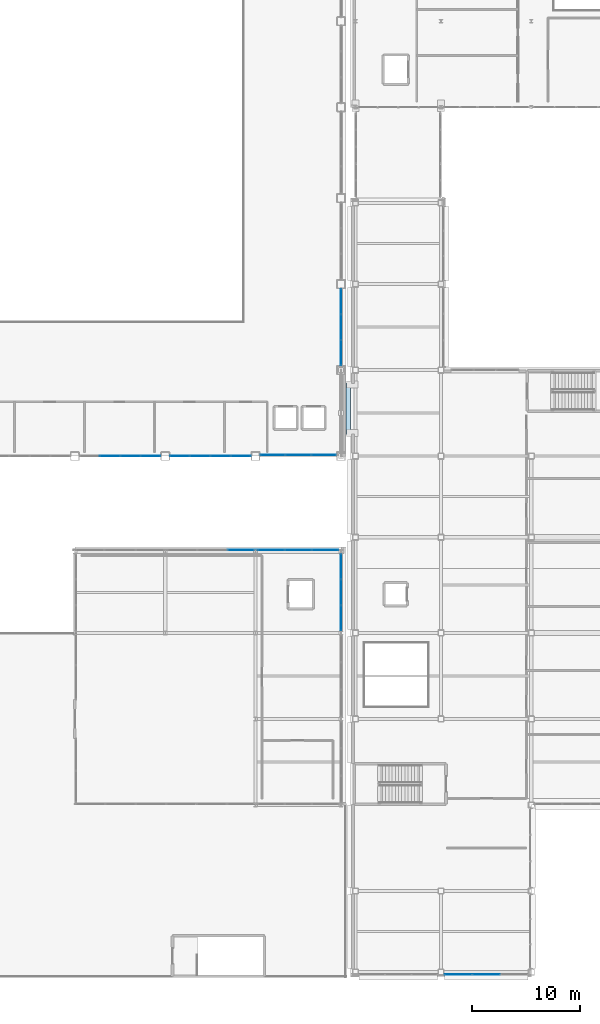
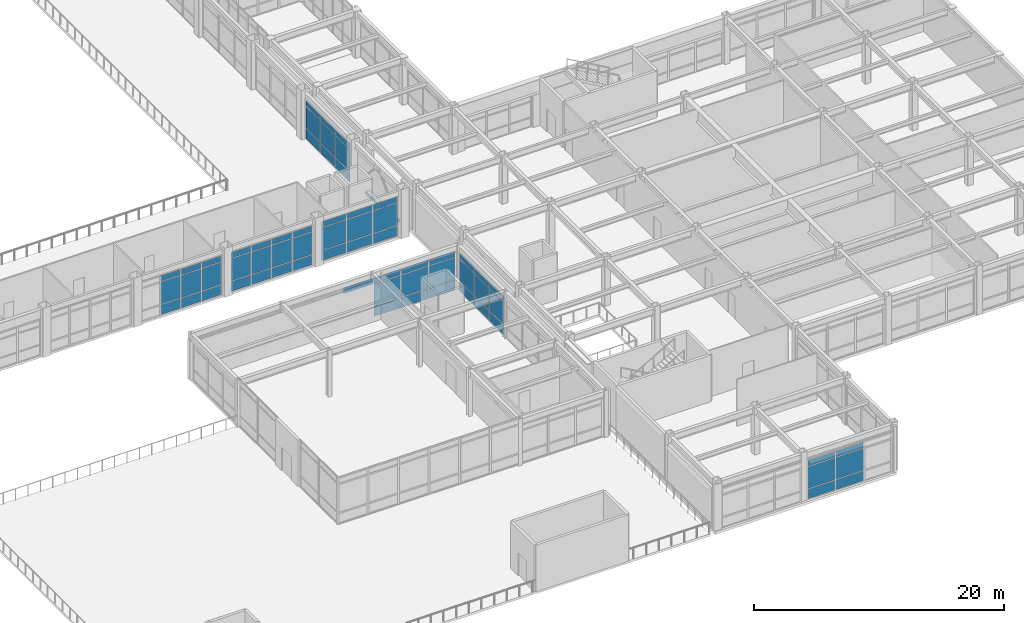
# One storey, part 116 of 154: 64 plates, 1 slab, 8 elements without a shape of their own.
"""IFC4 building model written with IfcOpenShell, lengths in metres."""

from ifc_helpers import new_model, si_unit, direction, frame, origin, origin_2d, place, context, subcontext, project, spatial, polyline, rectangle, outline, extrude, material, layer, layer_set, type_object, element, aggregate, save


model = new_model("IFC4")

# Units and contexts
model_context = context("Model", 3, precision=1e-05, world=origin(), true_north=direction((0.0, 1.0)))
body_context = subcontext(model_context, "Body", "Model", "MODEL_VIEW")
ifc_project = project(units=[si_unit("LENGTHUNIT", "METRE"), si_unit("AREAUNIT", "SQUARE_METRE"), si_unit("VOLUMEUNIT", "CUBIC_METRE"), si_unit("PLANEANGLEUNIT", "RADIAN"), si_unit("MASSUNIT", "GRAM", prefix="KILO")], contexts=[model_context])

# Site, building, storey
site_placement = place(None, origin())
site = spatial("IfcSite", under=ifc_project, at=site_placement, CompositionType="ELEMENT")
building_placement = place(site_placement, origin())
building = spatial("IfcBuilding", under=site, at=building_placement, Name="Kazehara Bluff Congress Hotel", CompositionType="ELEMENT")
storey_placement = place(building_placement, frame((0.0, 0.0, 10.199951171875)))
storey = spatial("IfcBuildingStorey", under=building, at=storey_placement, Name="L02", CompositionType="ELEMENT", Elevation=10.199951171875)

# Curtain wall, plates
ifc_material_1 = material(Name="Anodised aluminium", Category="aluminium")
ifc_layer_1 = layer(ifc_material_1, 0.159912109375)
ifc_layer_set_1 = layer_set([ifc_layer_1], Name="Anodised aluminium")
curtain_wall_type_1 = type_object("IfcCurtainWallType", Name="TP-CW-15", PredefinedType="NOTDEFINED", material=ifc_layer_set_1)
curtain_wall_1_placement = place(storey_placement, origin())
curtain_wall_1 = element("IfcCurtainWall", 1, at=curtain_wall_1_placement, inside=storey, type_object=curtain_wall_type_1, Name="L02 curtain wall CW-15 CW-V1-L02-Y4845-3400", PredefinedType="NOTDEFINED")
ifc_material_2 = material(Name="Insulated low-E double glazing", Category="glass")
ifc_layer_2 = layer(ifc_material_2, 0.028076171875)
ifc_layer_set_2 = layer_set([ifc_layer_2], Name="Insulated low-E double glazing")
plate_type = type_object("IfcPlateType", Name="TP-CWP-01", PredefinedType="CURTAIN_PANEL", material=ifc_layer_set_2)
plate_1_placement = place(storey_placement, frame((36.85009765625, 48.449951171875, 0.06494140625), z_axis=(0.0, 0.0, 1.0), x_axis=(1.0, 0.0, 0.0)))
plate_1 = element("IfcPlate", 2, at=plate_1_placement, type_object=plate_type, Name="CW-15 panel 2.1", PredefinedType="CURTAIN_PANEL", context=body_context, shape_type="SweptSolid", body=[
    extrude(rectangle(XDim=1.8349609375, YDim=0.028076171875, at=origin_2d()), origin(), (0.0, 0.0, 1.0), 0.952392578125),
])
plate_2_placement = place(storey_placement, frame((36.85009765625, 48.449951171875, 1.08251953125), z_axis=(0.0, 0.0, 1.0), x_axis=(1.0, 0.0, 0.0)))
plate_2 = element("IfcPlate", 3, at=plate_2_placement, type_object=plate_type, Name="CW-15 panel 2.2", PredefinedType="CURTAIN_PANEL", context=body_context, shape_type="SweptSolid", body=[
    extrude(rectangle(XDim=1.8349609375, YDim=0.028076171875, at=origin_2d()), origin(), (0.0, 0.0, 1.0), 2.169921875),
])
plate_3_placement = place(storey_placement, frame((36.85009765625, 48.449951171875, 3.3173828125), z_axis=(0.0, 0.0, 1.0), x_axis=(1.0, 0.0, 0.0)))
plate_3 = element("IfcPlate", 4, at=plate_3_placement, type_object=plate_type, Name="CW-15 panel 2.3", PredefinedType="CURTAIN_PANEL", context=body_context, shape_type="SweptSolid", body=[
    extrude(rectangle(XDim=1.8349609375, YDim=0.028076171875, at=origin_2d()), origin(), (0.0, 0.0, 1.0), 0.552490234375),
])
plate_4_placement = place(storey_placement, frame((38.75, 48.449951171875, 0.06494140625), z_axis=(0.0, 0.0, 1.0), x_axis=(1.0, 0.0, 0.0)))
plate_4 = element("IfcPlate", 5, at=plate_4_placement, type_object=plate_type, Name="CW-15 panel 3.1", PredefinedType="CURTAIN_PANEL", context=body_context, shape_type="SweptSolid", body=[
    extrude(rectangle(XDim=1.8349609375, YDim=0.028076171875, at=origin_2d()), origin(), (0.0, 0.0, 1.0), 0.952392578125),
])
plate_5_placement = place(storey_placement, frame((38.75, 48.449951171875, 1.08251953125), z_axis=(0.0, 0.0, 1.0), x_axis=(1.0, 0.0, 0.0)))
plate_5 = element("IfcPlate", 6, at=plate_5_placement, type_object=plate_type, Name="CW-15 panel 3.2", PredefinedType="CURTAIN_PANEL", context=body_context, shape_type="SweptSolid", body=[
    extrude(rectangle(XDim=1.8349609375, YDim=0.028076171875, at=origin_2d()), origin(), (0.0, 0.0, 1.0), 2.169921875),
])
plate_6_placement = place(storey_placement, frame((38.75, 48.449951171875, 3.3173828125), z_axis=(0.0, 0.0, 1.0), x_axis=(1.0, 0.0, 0.0)))
plate_6 = element("IfcPlate", 7, at=plate_6_placement, type_object=plate_type, Name="CW-15 panel 3.3", PredefinedType="CURTAIN_PANEL", context=body_context, shape_type="SweptSolid", body=[
    extrude(rectangle(XDim=1.8349609375, YDim=0.028076171875, at=origin_2d()), origin(), (0.0, 0.0, 1.0), 0.552490234375),
])
plate_7_placement = place(storey_placement, frame((40.6337890625, 48.449951171875, 0.06494140625), z_axis=(0.0, 0.0, 1.0), x_axis=(1.0, 0.0, 0.0)))
plate_7 = element("IfcPlate", 8, at=plate_7_placement, type_object=plate_type, Name="CW-15 panel 4.1", PredefinedType="CURTAIN_PANEL", context=body_context, shape_type="SweptSolid", body=[
    extrude(rectangle(XDim=1.802490234375, YDim=0.028076171875, at=origin_2d()), origin(), (0.0, 0.0, 1.0), 0.952392578125),
])
plate_8_placement = place(storey_placement, frame((40.6337890625, 48.449951171875, 1.08251953125), z_axis=(0.0, 0.0, 1.0), x_axis=(1.0, 0.0, 0.0)))
plate_8 = element("IfcPlate", 9, at=plate_8_placement, type_object=plate_type, Name="CW-15 panel 4.2", PredefinedType="CURTAIN_PANEL", context=body_context, shape_type="SweptSolid", body=[
    extrude(rectangle(XDim=1.802490234375, YDim=0.028076171875, at=origin_2d()), origin(), (0.0, 0.0, 1.0), 2.169921875),
])
plate_9_placement = place(storey_placement, frame((40.6337890625, 48.449951171875, 3.3173828125), z_axis=(0.0, 0.0, 1.0), x_axis=(1.0, 0.0, 0.0)))
plate_9 = element("IfcPlate", 10, at=plate_9_placement, type_object=plate_type, Name="CW-15 panel 4.3", PredefinedType="CURTAIN_PANEL", context=body_context, shape_type="SweptSolid", body=[
    extrude(rectangle(XDim=1.802490234375, YDim=0.028076171875, at=origin_2d()), origin(), (0.0, 0.0, 1.0), 0.552490234375),
])
aggregate(curtain_wall_1, [plate_1, plate_2, plate_3, plate_4, plate_5, plate_6, plate_7, plate_8, plate_9])

curtain_wall_2_placement = place(storey_placement, origin())
curtain_wall_2 = element("IfcCurtainWall", 11, at=curtain_wall_2_placement, inside=storey, type_object=curtain_wall_type_1, Name="L02 curtain wall CW-15 CW-V1-L02-Y4845-4240", PredefinedType="NOTDEFINED")
plate_10_placement = place(storey_placement, frame((43.3662109375, 48.449951171875, 0.06494140625), z_axis=(0.0, 0.0, 1.0), x_axis=(1.0, 0.0, 0.0)))
plate_10 = element("IfcPlate", 12, at=plate_10_placement, type_object=plate_type, Name="CW-15 panel 1.1", PredefinedType="CURTAIN_PANEL", context=body_context, shape_type="SweptSolid", body=[
    extrude(rectangle(XDim=1.802490234375, YDim=0.028076171875, at=origin_2d()), origin(), (0.0, 0.0, 1.0), 0.952392578125),
])
plate_11_placement = place(storey_placement, frame((43.3662109375, 48.449951171875, 1.08251953125), z_axis=(0.0, 0.0, 1.0), x_axis=(1.0, 0.0, 0.0)))
plate_11 = element("IfcPlate", 13, at=plate_11_placement, type_object=plate_type, Name="CW-15 panel 1.2", PredefinedType="CURTAIN_PANEL", context=body_context, shape_type="SweptSolid", body=[
    extrude(rectangle(XDim=1.802490234375, YDim=0.028076171875, at=origin_2d()), origin(), (0.0, 0.0, 1.0), 2.169921875),
])
plate_12_placement = place(storey_placement, frame((43.3662109375, 48.449951171875, 3.3173828125), z_axis=(0.0, 0.0, 1.0), x_axis=(1.0, 0.0, 0.0)))
plate_12 = element("IfcPlate", 14, at=plate_12_placement, type_object=plate_type, Name="CW-15 panel 1.3", PredefinedType="CURTAIN_PANEL", context=body_context, shape_type="SweptSolid", body=[
    extrude(rectangle(XDim=1.802490234375, YDim=0.028076171875, at=origin_2d()), origin(), (0.0, 0.0, 1.0), 0.552490234375),
])
plate_13_placement = place(storey_placement, frame((45.25, 48.449951171875, 0.06494140625), z_axis=(0.0, 0.0, 1.0), x_axis=(1.0, 0.0, 0.0)))
plate_13 = element("IfcPlate", 15, at=plate_13_placement, type_object=plate_type, Name="CW-15 panel 2.1", PredefinedType="CURTAIN_PANEL", context=body_context, shape_type="SweptSolid", body=[
    extrude(rectangle(XDim=1.8349609375, YDim=0.028076171875, at=origin_2d()), origin(), (0.0, 0.0, 1.0), 0.952392578125),
])
plate_14_placement = place(storey_placement, frame((45.25, 48.449951171875, 1.08251953125), z_axis=(0.0, 0.0, 1.0), x_axis=(1.0, 0.0, 0.0)))
plate_14 = element("IfcPlate", 16, at=plate_14_placement, type_object=plate_type, Name="CW-15 panel 2.2", PredefinedType="CURTAIN_PANEL", context=body_context, shape_type="SweptSolid", body=[
    extrude(rectangle(XDim=1.8349609375, YDim=0.028076171875, at=origin_2d()), origin(), (0.0, 0.0, 1.0), 2.169921875),
])
plate_15_placement = place(storey_placement, frame((45.25, 48.449951171875, 3.3173828125), z_axis=(0.0, 0.0, 1.0), x_axis=(1.0, 0.0, 0.0)))
plate_15 = element("IfcPlate", 17, at=plate_15_placement, type_object=plate_type, Name="CW-15 panel 2.3", PredefinedType="CURTAIN_PANEL", context=body_context, shape_type="SweptSolid", body=[
    extrude(rectangle(XDim=1.8349609375, YDim=0.028076171875, at=origin_2d()), origin(), (0.0, 0.0, 1.0), 0.552490234375),
])
plate_16_placement = place(storey_placement, frame((47.14990234375, 48.449951171875, 0.06494140625), z_axis=(0.0, 0.0, 1.0), x_axis=(1.0, 0.0, 0.0)))
plate_16 = element("IfcPlate", 18, at=plate_16_placement, type_object=plate_type, Name="CW-15 panel 3.1", PredefinedType="CURTAIN_PANEL", context=body_context, shape_type="SweptSolid", body=[
    extrude(rectangle(XDim=1.8349609375, YDim=0.028076171875, at=origin_2d()), origin(), (0.0, 0.0, 1.0), 0.952392578125),
])
plate_17_placement = place(storey_placement, frame((47.14990234375, 48.449951171875, 1.08251953125), z_axis=(0.0, 0.0, 1.0), x_axis=(1.0, 0.0, 0.0)))
plate_17 = element("IfcPlate", 19, at=plate_17_placement, type_object=plate_type, Name="CW-15 panel 3.2", PredefinedType="CURTAIN_PANEL", context=body_context, shape_type="SweptSolid", body=[
    extrude(rectangle(XDim=1.8349609375, YDim=0.028076171875, at=origin_2d()), origin(), (0.0, 0.0, 1.0), 2.169921875),
])
plate_18_placement = place(storey_placement, frame((47.14990234375, 48.449951171875, 3.3173828125), z_axis=(0.0, 0.0, 1.0), x_axis=(1.0, 0.0, 0.0)))
plate_18 = element("IfcPlate", 20, at=plate_18_placement, type_object=plate_type, Name="CW-15 panel 3.3", PredefinedType="CURTAIN_PANEL", context=body_context, shape_type="SweptSolid", body=[
    extrude(rectangle(XDim=1.8349609375, YDim=0.028076171875, at=origin_2d()), origin(), (0.0, 0.0, 1.0), 0.552490234375),
])
plate_19_placement = place(storey_placement, frame((49.03369140625, 48.449951171875, 0.06494140625), z_axis=(0.0, 0.0, 1.0), x_axis=(1.0, 0.0, 0.0)))
plate_19 = element("IfcPlate", 21, at=plate_19_placement, type_object=plate_type, Name="CW-15 panel 4.1", PredefinedType="CURTAIN_PANEL", context=body_context, shape_type="SweptSolid", body=[
    extrude(rectangle(XDim=1.802490234375, YDim=0.028076171875, at=origin_2d()), origin(), (0.0, 0.0, 1.0), 0.952392578125),
])
plate_20_placement = place(storey_placement, frame((49.03369140625, 48.449951171875, 1.08251953125), z_axis=(0.0, 0.0, 1.0), x_axis=(1.0, 0.0, 0.0)))
plate_20 = element("IfcPlate", 22, at=plate_20_placement, type_object=plate_type, Name="CW-15 panel 4.2", PredefinedType="CURTAIN_PANEL", context=body_context, shape_type="SweptSolid", body=[
    extrude(rectangle(XDim=1.802490234375, YDim=0.028076171875, at=origin_2d()), origin(), (0.0, 0.0, 1.0), 2.169921875),
])
plate_21_placement = place(storey_placement, frame((49.03369140625, 48.449951171875, 3.3173828125), z_axis=(0.0, 0.0, 1.0), x_axis=(1.0, 0.0, 0.0)))
plate_21 = element("IfcPlate", 23, at=plate_21_placement, type_object=plate_type, Name="CW-15 panel 4.3", PredefinedType="CURTAIN_PANEL", context=body_context, shape_type="SweptSolid", body=[
    extrude(rectangle(XDim=1.802490234375, YDim=0.028076171875, at=origin_2d()), origin(), (0.0, 0.0, 1.0), 0.552490234375),
])
aggregate(curtain_wall_2, [plate_10, plate_11, plate_12, plate_13, plate_14, plate_15, plate_16, plate_17, plate_18, plate_19, plate_20, plate_21])

ifc_material_3 = material(Name="Anodised aluminium", Category="aluminium")
ifc_layer_3 = layer(ifc_material_3, 0.159912109375)
ifc_layer_set_3 = layer_set([ifc_layer_3], Name="Anodised aluminium")
curtain_wall_type_2 = type_object("IfcCurtainWallType", Name="TP-CW-23", PredefinedType="NOTDEFINED", material=ifc_layer_set_3)
curtain_wall_3_placement = place(storey_placement, origin())
curtain_wall_3 = element("IfcCurtainWall", 24, at=curtain_wall_3_placement, inside=storey, type_object=curtain_wall_type_2, Name="L02 curtain wall CW-23 CW-V1-L02-X5835-5685", PredefinedType="NOTDEFINED")
plate_22_placement = place(storey_placement, frame((58.35009765625, 58.066162109375, 0.06494140625), z_axis=(0.0, 0.0, 1.0), x_axis=(0.0, 1.0, 0.0)))
plate_22 = element("IfcPlate", 25, at=plate_22_placement, type_object=plate_type, Name="CW-23 panel 1.1", PredefinedType="CURTAIN_PANEL", context=body_context, shape_type="SweptSolid", body=[
    extrude(rectangle(XDim=2.302490234375, YDim=0.028076171875, at=origin_2d()), origin(), (0.0, 0.0, 1.0), 0.952392578125),
])
plate_23_placement = place(storey_placement, frame((58.35009765625, 58.066162109375, 1.08251953125), z_axis=(0.0, 0.0, 1.0), x_axis=(0.0, 1.0, 0.0)))
plate_23 = element("IfcPlate", 26, at=plate_23_placement, type_object=plate_type, Name="CW-23 panel 1.2", PredefinedType="CURTAIN_PANEL", context=body_context, shape_type="SweptSolid", body=[
    extrude(rectangle(XDim=2.302490234375, YDim=0.028076171875, at=origin_2d()), origin(), (0.0, 0.0, 1.0), 2.1201171875),
])
plate_24_placement = place(storey_placement, frame((58.35009765625, 58.066162109375, 3.267578125), z_axis=(0.0, 0.0, 1.0), x_axis=(0.0, 1.0, 0.0)))
plate_24 = element("IfcPlate", 27, at=plate_24_placement, type_object=plate_type, Name="CW-23 panel 1.3", PredefinedType="CURTAIN_PANEL", context=body_context, shape_type="SweptSolid", body=[
    extrude(rectangle(XDim=2.302490234375, YDim=0.028076171875, at=origin_2d()), origin(), (0.0, 0.0, 1.0), 0.552490234375),
])
plate_25_placement = place(storey_placement, frame((58.35009765625, 60.449951171875, 0.06494140625), z_axis=(0.0, 0.0, 1.0), x_axis=(0.0, 1.0, 0.0)))
plate_25 = element("IfcPlate", 28, at=plate_25_placement, type_object=plate_type, Name="CW-23 panel 2.1", PredefinedType="CURTAIN_PANEL", context=body_context, shape_type="SweptSolid", body=[
    extrude(rectangle(XDim=2.3349609375, YDim=0.028076171875, at=origin_2d()), origin(), (0.0, 0.0, 1.0), 0.952392578125),
])
plate_26_placement = place(storey_placement, frame((58.35009765625, 60.449951171875, 1.08251953125), z_axis=(0.0, 0.0, 1.0), x_axis=(0.0, 1.0, 0.0)))
plate_26 = element("IfcPlate", 29, at=plate_26_placement, type_object=plate_type, Name="CW-23 panel 2.2", PredefinedType="CURTAIN_PANEL", context=body_context, shape_type="SweptSolid", body=[
    extrude(rectangle(XDim=2.3349609375, YDim=0.028076171875, at=origin_2d()), origin(), (0.0, 0.0, 1.0), 2.1201171875),
])
plate_27_placement = place(storey_placement, frame((58.35009765625, 60.449951171875, 3.267578125), z_axis=(0.0, 0.0, 1.0), x_axis=(0.0, 1.0, 0.0)))
plate_27 = element("IfcPlate", 30, at=plate_27_placement, type_object=plate_type, Name="CW-23 panel 2.3", PredefinedType="CURTAIN_PANEL", context=body_context, shape_type="SweptSolid", body=[
    extrude(rectangle(XDim=2.3349609375, YDim=0.028076171875, at=origin_2d()), origin(), (0.0, 0.0, 1.0), 0.552490234375),
])
plate_28_placement = place(storey_placement, frame((58.35009765625, 62.833740234375, 0.06494140625), z_axis=(0.0, 0.0, 1.0), x_axis=(0.0, 1.0, 0.0)))
plate_28 = element("IfcPlate", 31, at=plate_28_placement, type_object=plate_type, Name="CW-23 panel 3.1", PredefinedType="CURTAIN_PANEL", context=body_context, shape_type="SweptSolid", body=[
    extrude(rectangle(XDim=2.302490234375, YDim=0.028076171875, at=origin_2d()), origin(), (0.0, 0.0, 1.0), 0.952392578125),
])
plate_29_placement = place(storey_placement, frame((58.35009765625, 62.833740234375, 1.08251953125), z_axis=(0.0, 0.0, 1.0), x_axis=(0.0, 1.0, 0.0)))
plate_29 = element("IfcPlate", 32, at=plate_29_placement, type_object=plate_type, Name="CW-23 panel 3.2", PredefinedType="CURTAIN_PANEL", context=body_context, shape_type="SweptSolid", body=[
    extrude(rectangle(XDim=2.302490234375, YDim=0.028076171875, at=origin_2d()), origin(), (0.0, 0.0, 1.0), 2.1201171875),
])
plate_30_placement = place(storey_placement, frame((58.35009765625, 62.833740234375, 3.267578125), z_axis=(0.0, 0.0, 1.0), x_axis=(0.0, 1.0, 0.0)))
plate_30 = element("IfcPlate", 33, at=plate_30_placement, type_object=plate_type, Name="CW-23 panel 3.3", PredefinedType="CURTAIN_PANEL", context=body_context, shape_type="SweptSolid", body=[
    extrude(rectangle(XDim=2.302490234375, YDim=0.028076171875, at=origin_2d()), origin(), (0.0, 0.0, 1.0), 0.552490234375),
])
aggregate(curtain_wall_3, [plate_22, plate_23, plate_24, plate_25, plate_26, plate_27, plate_28, plate_29, plate_30])

curtain_wall_4_placement = place(storey_placement, origin())
curtain_wall_4 = element("IfcCurtainWall", 34, at=curtain_wall_4_placement, inside=storey, type_object=curtain_wall_type_2, Name="L02 curtain wall CW-23 CW-V2-L02-X5835-3217", PredefinedType="NOTDEFINED")
plate_31_placement = place(storey_placement, frame((58.35009765625, 33.391357421875, 0.06494140625), z_axis=(0.0, 0.0, 1.0), x_axis=(0.0, 1.0, 0.0)))
plate_31 = element("IfcPlate", 35, at=plate_31_placement, type_object=plate_type, Name="CW-23 panel 1.1", PredefinedType="CURTAIN_PANEL", context=body_context, shape_type="SweptSolid", body=[
    extrude(rectangle(XDim=2.302490234375, YDim=0.028076171875, at=origin_2d()), origin(), (0.0, 0.0, 1.0), 0.952392578125),
])
plate_32_placement = place(storey_placement, frame((58.35009765625, 33.391357421875, 1.08251953125), z_axis=(0.0, 0.0, 1.0), x_axis=(0.0, 1.0, 0.0)))
plate_32 = element("IfcPlate", 36, at=plate_32_placement, type_object=plate_type, Name="CW-23 panel 1.2", PredefinedType="CURTAIN_PANEL", context=body_context, shape_type="SweptSolid", body=[
    extrude(rectangle(XDim=2.302490234375, YDim=0.028076171875, at=origin_2d()), origin(), (0.0, 0.0, 1.0), 2.1201171875),
])
plate_33_placement = place(storey_placement, frame((58.35009765625, 33.391357421875, 3.267578125), z_axis=(0.0, 0.0, 1.0), x_axis=(0.0, 1.0, 0.0)))
plate_33 = element("IfcPlate", 37, at=plate_33_placement, type_object=plate_type, Name="CW-23 panel 1.3", PredefinedType="CURTAIN_PANEL", context=body_context, shape_type="SweptSolid", body=[
    extrude(rectangle(XDim=2.302490234375, YDim=0.028076171875, at=origin_2d()), origin(), (0.0, 0.0, 1.0), 0.552490234375),
])
plate_34_placement = place(storey_placement, frame((58.35009765625, 35.77490234375, 0.06494140625), z_axis=(0.0, 0.0, 1.0), x_axis=(0.0, 1.0, 0.0)))
plate_34 = element("IfcPlate", 38, at=plate_34_placement, type_object=plate_type, Name="CW-23 panel 2.1", PredefinedType="CURTAIN_PANEL", context=body_context, shape_type="SweptSolid", body=[
    extrude(rectangle(XDim=2.3349609375, YDim=0.028076171875, at=origin_2d()), origin(), (0.0, 0.0, 1.0), 0.952392578125),
])
plate_35_placement = place(storey_placement, frame((58.35009765625, 35.77490234375, 1.08251953125), z_axis=(0.0, 0.0, 1.0), x_axis=(0.0, 1.0, 0.0)))
plate_35 = element("IfcPlate", 39, at=plate_35_placement, type_object=plate_type, Name="CW-23 panel 2.2", PredefinedType="CURTAIN_PANEL", context=body_context, shape_type="SweptSolid", body=[
    extrude(rectangle(XDim=2.3349609375, YDim=0.028076171875, at=origin_2d()), origin(), (0.0, 0.0, 1.0), 2.1201171875),
])
plate_36_placement = place(storey_placement, frame((58.35009765625, 35.77490234375, 3.267578125), z_axis=(0.0, 0.0, 1.0), x_axis=(0.0, 1.0, 0.0)))
plate_36 = element("IfcPlate", 40, at=plate_36_placement, type_object=plate_type, Name="CW-23 panel 2.3", PredefinedType="CURTAIN_PANEL", context=body_context, shape_type="SweptSolid", body=[
    extrude(rectangle(XDim=2.3349609375, YDim=0.028076171875, at=origin_2d()), origin(), (0.0, 0.0, 1.0), 0.552490234375),
])
plate_37_placement = place(storey_placement, frame((58.35009765625, 38.15869140625, 0.06494140625), z_axis=(0.0, 0.0, 1.0), x_axis=(0.0, 1.0, 0.0)))
plate_37 = element("IfcPlate", 41, at=plate_37_placement, type_object=plate_type, Name="CW-23 panel 3.1", PredefinedType="CURTAIN_PANEL", context=body_context, shape_type="SweptSolid", body=[
    extrude(rectangle(XDim=2.302490234375, YDim=0.028076171875, at=origin_2d()), origin(), (0.0, 0.0, 1.0), 0.952392578125),
])
plate_38_placement = place(storey_placement, frame((58.35009765625, 38.15869140625, 1.08251953125), z_axis=(0.0, 0.0, 1.0), x_axis=(0.0, 1.0, 0.0)))
plate_38 = element("IfcPlate", 42, at=plate_38_placement, type_object=plate_type, Name="CW-23 panel 3.2", PredefinedType="CURTAIN_PANEL", context=body_context, shape_type="SweptSolid", body=[
    extrude(rectangle(XDim=2.302490234375, YDim=0.028076171875, at=origin_2d()), origin(), (0.0, 0.0, 1.0), 2.1201171875),
])
plate_39_placement = place(storey_placement, frame((58.35009765625, 38.15869140625, 3.267578125), z_axis=(0.0, 0.0, 1.0), x_axis=(0.0, 1.0, 0.0)))
plate_39 = element("IfcPlate", 43, at=plate_39_placement, type_object=plate_type, Name="CW-23 panel 3.3", PredefinedType="CURTAIN_PANEL", context=body_context, shape_type="SweptSolid", body=[
    extrude(rectangle(XDim=2.302490234375, YDim=0.028076171875, at=origin_2d()), origin(), (0.0, 0.0, 1.0), 0.552490234375),
])
aggregate(curtain_wall_4, [plate_31, plate_32, plate_33, plate_34, plate_35, plate_36, plate_37, plate_38, plate_39])

ifc_material_4 = material(Name="Anodised aluminium", Category="aluminium")
ifc_layer_4 = layer(ifc_material_4, 0.159912109375)
ifc_layer_set_4 = layer_set([ifc_layer_4], Name="Anodised aluminium")
curtain_wall_type_3 = type_object("IfcCurtainWallType", Name="TP-CW-127", PredefinedType="NOTDEFINED", material=ifc_layer_set_4)
curtain_wall_5_placement = place(storey_placement, origin())
curtain_wall_5 = element("IfcCurtainWall", 44, at=curtain_wall_5_placement, inside=storey, type_object=curtain_wall_type_3, Name="L02 curtain wall CW-127 CW-ENC-V1-L02-5438-4855", PredefinedType="NOTDEFINED")
plate_40_placement = place(storey_placement, frame((56.7421875, 48.550048828125, 0.06494140625), z_axis=(0.0, 0.0, 1.0), x_axis=(-1.0, 0.0, 0.0)))
plate_40 = element("IfcPlate", 45, at=plate_40_placement, type_object=plate_type, Name="CW-127 panel 1.1", PredefinedType="CURTAIN_PANEL", context=body_context, shape_type="SweptSolid", body=[
    extrude(rectangle(XDim=2.285888671875, YDim=0.028076171875, at=origin_2d()), origin(), (0.0, 0.0, 1.0), 0.952392578125),
])
plate_41_placement = place(storey_placement, frame((56.7421875, 48.550048828125, 1.08251953125), z_axis=(0.0, 0.0, 1.0), x_axis=(-1.0, 0.0, 0.0)))
plate_41 = element("IfcPlate", 46, at=plate_41_placement, type_object=plate_type, Name="CW-127 panel 1.2", PredefinedType="CURTAIN_PANEL", context=body_context, shape_type="SweptSolid", body=[
    extrude(rectangle(XDim=2.285888671875, YDim=0.028076171875, at=origin_2d()), origin(), (0.0, 0.0, 1.0), 2.169921875),
])
plate_42_placement = place(storey_placement, frame((56.7421875, 48.550048828125, 3.3173828125), z_axis=(0.0, 0.0, 1.0), x_axis=(-1.0, 0.0, 0.0)))
plate_42 = element("IfcPlate", 47, at=plate_42_placement, type_object=plate_type, Name="CW-127 panel 1.3", PredefinedType="CURTAIN_PANEL", context=body_context, shape_type="SweptSolid", body=[
    extrude(rectangle(XDim=2.285888671875, YDim=0.028076171875, at=origin_2d()), origin(), (0.0, 0.0, 1.0), 0.552490234375),
])
plate_43_placement = place(storey_placement, frame((54.375, 48.550048828125, 0.06494140625), z_axis=(0.0, 0.0, 1.0), x_axis=(-1.0, 0.0, 0.0)))
plate_43 = element("IfcPlate", 48, at=plate_43_placement, type_object=plate_type, Name="CW-127 panel 2.1", PredefinedType="CURTAIN_PANEL", context=body_context, shape_type="SweptSolid", body=[
    extrude(rectangle(XDim=2.318359375, YDim=0.028076171875, at=origin_2d()), origin(), (0.0, 0.0, 1.0), 0.952392578125),
])
plate_44_placement = place(storey_placement, frame((54.375, 48.550048828125, 1.08251953125), z_axis=(0.0, 0.0, 1.0), x_axis=(-1.0, 0.0, 0.0)))
plate_44 = element("IfcPlate", 49, at=plate_44_placement, type_object=plate_type, Name="CW-127 panel 2.2", PredefinedType="CURTAIN_PANEL", context=body_context, shape_type="SweptSolid", body=[
    extrude(rectangle(XDim=2.318359375, YDim=0.028076171875, at=origin_2d()), origin(), (0.0, 0.0, 1.0), 2.169921875),
])
plate_45_placement = place(storey_placement, frame((54.375, 48.550048828125, 3.3173828125), z_axis=(0.0, 0.0, 1.0), x_axis=(-1.0, 0.0, 0.0)))
plate_45 = element("IfcPlate", 50, at=plate_45_placement, type_object=plate_type, Name="CW-127 panel 2.3", PredefinedType="CURTAIN_PANEL", context=body_context, shape_type="SweptSolid", body=[
    extrude(rectangle(XDim=2.318359375, YDim=0.028076171875, at=origin_2d()), origin(), (0.0, 0.0, 1.0), 0.552490234375),
])
plate_46_placement = place(storey_placement, frame((52.0078125, 48.550048828125, 0.06494140625), z_axis=(0.0, 0.0, 1.0), x_axis=(-1.0, 0.0, 0.0)))
plate_46 = element("IfcPlate", 51, at=plate_46_placement, type_object=plate_type, Name="CW-127 panel 3.1", PredefinedType="CURTAIN_PANEL", context=body_context, shape_type="SweptSolid", body=[
    extrude(rectangle(XDim=2.285888671875, YDim=0.028076171875, at=origin_2d()), origin(), (0.0, 0.0, 1.0), 0.952392578125),
])
plate_47_placement = place(storey_placement, frame((52.0078125, 48.550048828125, 1.08251953125), z_axis=(0.0, 0.0, 1.0), x_axis=(-1.0, 0.0, 0.0)))
plate_47 = element("IfcPlate", 52, at=plate_47_placement, type_object=plate_type, Name="CW-127 panel 3.2", PredefinedType="CURTAIN_PANEL", context=body_context, shape_type="SweptSolid", body=[
    extrude(rectangle(XDim=2.285888671875, YDim=0.028076171875, at=origin_2d()), origin(), (0.0, 0.0, 1.0), 2.169921875),
])
plate_48_placement = place(storey_placement, frame((52.0078125, 48.550048828125, 3.3173828125), z_axis=(0.0, 0.0, 1.0), x_axis=(-1.0, 0.0, 0.0)))
plate_48 = element("IfcPlate", 53, at=plate_48_placement, type_object=plate_type, Name="CW-127 panel 3.3", PredefinedType="CURTAIN_PANEL", context=body_context, shape_type="SweptSolid", body=[
    extrude(rectangle(XDim=2.285888671875, YDim=0.028076171875, at=origin_2d()), origin(), (0.0, 0.0, 1.0), 0.552490234375),
])
aggregate(curtain_wall_5, [plate_40, plate_41, plate_42, plate_43, plate_44, plate_45, plate_46, plate_47, plate_48])

# Curtain wall, plate
ifc_material_5 = material(Name="Anodised aluminium", Category="aluminium")
ifc_layer_5 = layer(ifc_material_5, 0.159912109375)
ifc_layer_set_5 = layer_set([ifc_layer_5], Name="Anodised aluminium")
curtain_wall_type_4 = type_object("IfcCurtainWallType", Name="TP-CW-131", PredefinedType="NOTDEFINED", material=ifc_layer_set_5)
curtain_wall_6_placement = place(storey_placement, origin())
curtain_wall_6 = element("IfcCurtainWall", 54, at=curtain_wall_6_placement, inside=storey, type_object=curtain_wall_type_4, Name="L02 curtain wall CW-131 CW-ENC-V2-L02-4638-3970", PredefinedType="NOTDEFINED")
plate_49_placement = place(storey_placement, frame((49.15869140625, 39.705078125, 3.267578125), z_axis=(0.0, 0.0, 1.0), x_axis=(1.0, 0.0, 0.0)))
plate_49 = element("IfcPlate", 55, at=plate_49_placement, type_object=plate_type, Name="CW-131 panel 3.3", PredefinedType="CURTAIN_PANEL", context=body_context, shape_type="SweptSolid", body=[
    extrude(rectangle(XDim=2.702392578125, YDim=0.028076171875, at=origin_2d()), origin(), (0.0, 0.0, 1.0), 0.552490234375),
])
aggregate(curtain_wall_6, [plate_49])

# Curtain wall, plates
ifc_material_6 = material(Name="Anodised aluminium", Category="aluminium")
ifc_layer_6 = layer(ifc_material_6, 0.159912109375)
ifc_layer_set_6 = layer_set([ifc_layer_6], Name="Anodised aluminium")
curtain_wall_type_5 = type_object("IfcCurtainWallType", Name="TP-CW-129", PredefinedType="NOTDEFINED", material=ifc_layer_set_6)
curtain_wall_7_placement = place(storey_placement, origin())
curtain_wall_7 = element("IfcCurtainWall", 56, at=curtain_wall_7_placement, inside=storey, type_object=curtain_wall_type_5, Name="L02 curtain wall CW-129 CW-ENC-V2-L02-5438-3970", PredefinedType="NOTDEFINED")
plate_50_placement = place(storey_placement, frame((51.85791015625, 39.705078125, 0.06494140625), z_axis=(0.0, 0.0, 1.0), x_axis=(1.0, 0.0, 0.0)))
plate_50 = element("IfcPlate", 57, at=plate_50_placement, type_object=plate_type, Name="CW-129 panel 1.1", PredefinedType="CURTAIN_PANEL", context=body_context, shape_type="SweptSolid", body=[
    extrude(rectangle(XDim=2.435791015625, YDim=0.028076171875, at=origin_2d()), origin(), (0.0, 0.0, 1.0), 0.952392578125),
])
plate_51_placement = place(storey_placement, frame((51.85791015625, 39.705078125, 1.08251953125), z_axis=(0.0, 0.0, 1.0), x_axis=(1.0, 0.0, 0.0)))
plate_51 = element("IfcPlate", 58, at=plate_51_placement, type_object=plate_type, Name="CW-129 panel 1.2", PredefinedType="CURTAIN_PANEL", context=body_context, shape_type="SweptSolid", body=[
    extrude(rectangle(XDim=2.435791015625, YDim=0.028076171875, at=origin_2d()), origin(), (0.0, 0.0, 1.0), 2.1201171875),
])
plate_52_placement = place(storey_placement, frame((51.85791015625, 39.705078125, 3.267578125), z_axis=(0.0, 0.0, 1.0), x_axis=(1.0, 0.0, 0.0)))
plate_52 = element("IfcPlate", 59, at=plate_52_placement, type_object=plate_type, Name="CW-129 panel 1.3", PredefinedType="CURTAIN_PANEL", context=body_context, shape_type="SweptSolid", body=[
    extrude(rectangle(XDim=2.435791015625, YDim=0.028076171875, at=origin_2d()), origin(), (0.0, 0.0, 1.0), 0.552490234375),
])
plate_53_placement = place(storey_placement, frame((54.375, 39.705078125, 0.06494140625), z_axis=(0.0, 0.0, 1.0), x_axis=(1.0, 0.0, 0.0)))
plate_53 = element("IfcPlate", 60, at=plate_53_placement, type_object=plate_type, Name="CW-129 panel 2.1", PredefinedType="CURTAIN_PANEL", context=body_context, shape_type="SweptSolid", body=[
    extrude(rectangle(XDim=2.46826171875, YDim=0.028076171875, at=origin_2d()), origin(), (0.0, 0.0, 1.0), 0.952392578125),
])
plate_54_placement = place(storey_placement, frame((54.375, 39.705078125, 1.08251953125), z_axis=(0.0, 0.0, 1.0), x_axis=(1.0, 0.0, 0.0)))
plate_54 = element("IfcPlate", 61, at=plate_54_placement, type_object=plate_type, Name="CW-129 panel 2.2", PredefinedType="CURTAIN_PANEL", context=body_context, shape_type="SweptSolid", body=[
    extrude(rectangle(XDim=2.46826171875, YDim=0.028076171875, at=origin_2d()), origin(), (0.0, 0.0, 1.0), 2.1201171875),
])
plate_55_placement = place(storey_placement, frame((54.375, 39.705078125, 3.267578125), z_axis=(0.0, 0.0, 1.0), x_axis=(1.0, 0.0, 0.0)))
plate_55 = element("IfcPlate", 62, at=plate_55_placement, type_object=plate_type, Name="CW-129 panel 2.3", PredefinedType="CURTAIN_PANEL", context=body_context, shape_type="SweptSolid", body=[
    extrude(rectangle(XDim=2.46826171875, YDim=0.028076171875, at=origin_2d()), origin(), (0.0, 0.0, 1.0), 0.552490234375),
])
plate_56_placement = place(storey_placement, frame((56.89208984375, 39.705078125, 0.06494140625), z_axis=(0.0, 0.0, 1.0), x_axis=(1.0, 0.0, 0.0)))
plate_56 = element("IfcPlate", 63, at=plate_56_placement, type_object=plate_type, Name="CW-129 panel 3.1", PredefinedType="CURTAIN_PANEL", context=body_context, shape_type="SweptSolid", body=[
    extrude(rectangle(XDim=2.435791015625, YDim=0.028076171875, at=origin_2d()), origin(), (0.0, 0.0, 1.0), 0.952392578125),
])
plate_57_placement = place(storey_placement, frame((56.89208984375, 39.705078125, 1.08251953125), z_axis=(0.0, 0.0, 1.0), x_axis=(1.0, 0.0, 0.0)))
plate_57 = element("IfcPlate", 64, at=plate_57_placement, type_object=plate_type, Name="CW-129 panel 3.2", PredefinedType="CURTAIN_PANEL", context=body_context, shape_type="SweptSolid", body=[
    extrude(rectangle(XDim=2.435791015625, YDim=0.028076171875, at=origin_2d()), origin(), (0.0, 0.0, 1.0), 2.1201171875),
])
plate_58_placement = place(storey_placement, frame((56.89208984375, 39.705078125, 3.267578125), z_axis=(0.0, 0.0, 1.0), x_axis=(1.0, 0.0, 0.0)))
plate_58 = element("IfcPlate", 65, at=plate_58_placement, type_object=plate_type, Name="CW-129 panel 3.3", PredefinedType="CURTAIN_PANEL", context=body_context, shape_type="SweptSolid", body=[
    extrude(rectangle(XDim=2.435791015625, YDim=0.028076171875, at=origin_2d()), origin(), (0.0, 0.0, 1.0), 0.552490234375),
])
aggregate(curtain_wall_7, [plate_50, plate_51, plate_52, plate_53, plate_54, plate_55, plate_56, plate_57, plate_58])

ifc_material_7 = material(Name="Anodised aluminium", Category="aluminium")
ifc_layer_7 = layer(ifc_material_7, 0.159912109375)
ifc_layer_set_7 = layer_set([ifc_layer_7], Name="Anodised aluminium")
curtain_wall_type_6 = type_object("IfcCurtainWallType", Name="TP-CW-117", PredefinedType="NOTDEFINED", material=ifc_layer_set_7)
curtain_wall_8_placement = place(storey_placement, origin())
curtain_wall_8 = element("IfcCurtainWall", 66, at=curtain_wall_8_placement, inside=storey, type_object=curtain_wall_type_6, Name="L02 curtain wall CW-117 CW-ENC-V4-L02-7185-22", PredefinedType="NOTDEFINED")
plate_59_placement = place(storey_placement, frame((71.85009765625, 0.219970703125, 0.06494140625), z_axis=(0.0, 0.0, 1.0), x_axis=(-1.0, 0.0, 0.0)))
plate_59 = element("IfcPlate", 67, at=plate_59_placement, type_object=plate_type, Name="CW-117 panel 2.1", PredefinedType="CURTAIN_PANEL", context=body_context, shape_type="SweptSolid", body=[
    extrude(rectangle(XDim=2.5517578125, YDim=0.028076171875, at=origin_2d()), origin(), (0.0, 0.0, 1.0), 0.952392578125),
])
plate_60_placement = place(storey_placement, frame((71.85009765625, 0.219970703125, 1.08251953125), z_axis=(0.0, 0.0, 1.0), x_axis=(-1.0, 0.0, 0.0)))
plate_60 = element("IfcPlate", 68, at=plate_60_placement, type_object=plate_type, Name="CW-117 panel 2.2", PredefinedType="CURTAIN_PANEL", context=body_context, shape_type="SweptSolid", body=[
    extrude(rectangle(XDim=2.5517578125, YDim=0.028076171875, at=origin_2d()), origin(), (0.0, 0.0, 1.0), 2.1201171875),
])
plate_61_placement = place(storey_placement, frame((71.85009765625, 0.219970703125, 3.267578125), z_axis=(0.0, 0.0, 1.0), x_axis=(-1.0, 0.0, 0.0)))
plate_61 = element("IfcPlate", 69, at=plate_61_placement, type_object=plate_type, Name="CW-117 panel 2.3", PredefinedType="CURTAIN_PANEL", context=body_context, shape_type="SweptSolid", body=[
    extrude(rectangle(XDim=2.5517578125, YDim=0.028076171875, at=origin_2d()), origin(), (0.0, 0.0, 1.0), 0.552490234375),
])
plate_62_placement = place(storey_placement, frame((69.24951171875, 0.219970703125, 0.06494140625), z_axis=(0.0, 0.0, 1.0), x_axis=(-1.0, 0.0, 0.0)))
plate_62 = element("IfcPlate", 70, at=plate_62_placement, type_object=plate_type, Name="CW-117 panel 3.1", PredefinedType="CURTAIN_PANEL", context=body_context, shape_type="SweptSolid", body=[
    extrude(rectangle(XDim=2.519287109375, YDim=0.028076171875, at=origin_2d()), origin(), (0.0, 0.0, 1.0), 0.952392578125),
])
plate_63_placement = place(storey_placement, frame((69.24951171875, 0.219970703125, 1.08251953125), z_axis=(0.0, 0.0, 1.0), x_axis=(-1.0, 0.0, 0.0)))
plate_63 = element("IfcPlate", 71, at=plate_63_placement, type_object=plate_type, Name="CW-117 panel 3.2", PredefinedType="CURTAIN_PANEL", context=body_context, shape_type="SweptSolid", body=[
    extrude(rectangle(XDim=2.519287109375, YDim=0.028076171875, at=origin_2d()), origin(), (0.0, 0.0, 1.0), 2.1201171875),
])
plate_64_placement = place(storey_placement, frame((69.24951171875, 0.219970703125, 3.267578125), z_axis=(0.0, 0.0, 1.0), x_axis=(-1.0, 0.0, 0.0)))
plate_64 = element("IfcPlate", 72, at=plate_64_placement, type_object=plate_type, Name="CW-117 panel 3.3", PredefinedType="CURTAIN_PANEL", context=body_context, shape_type="SweptSolid", body=[
    extrude(rectangle(XDim=2.519287109375, YDim=0.028076171875, at=origin_2d()), origin(), (0.0, 0.0, 1.0), 0.552490234375),
])
aggregate(curtain_wall_8, [plate_59, plate_60, plate_61, plate_62, plate_63, plate_64])

# Slab
ifc_material_8 = material(Name="Concrete C36/45", Category="concrete")
ifc_layer_8 = layer(ifc_material_8, 0.25)
ifc_layer_set_8 = layer_set([ifc_layer_8], Name="Concrete C36/45")
slab_type = type_object("IfcSlabType", Name="TP-SL-250", PredefinedType="FLOOR", material=ifc_layer_set_8)
slab_placement = place(storey_placement, frame((0.0, 0.0, -0.25)))
element("IfcSlab", 73, at=slab_placement, inside=storey, type_object=slab_type, Name="Seismic-joint bridge deck BRG-14 L02", PredefinedType="FLOOR", context=body_context, shape_type="SweptSolid", body=[
    extrude(outline(polyline([(58.81005859375, 50.449951171875), (59.239990234375, 50.449951171875), (59.239990234375, 54.85009765625), (59.139892578125, 55.25), (58.81005859375, 55.25), (58.81005859375, 50.449951171875)])), origin(), (0.0, 0.0, 1.0), 0.25),
])

save(model, "model.ifc")
